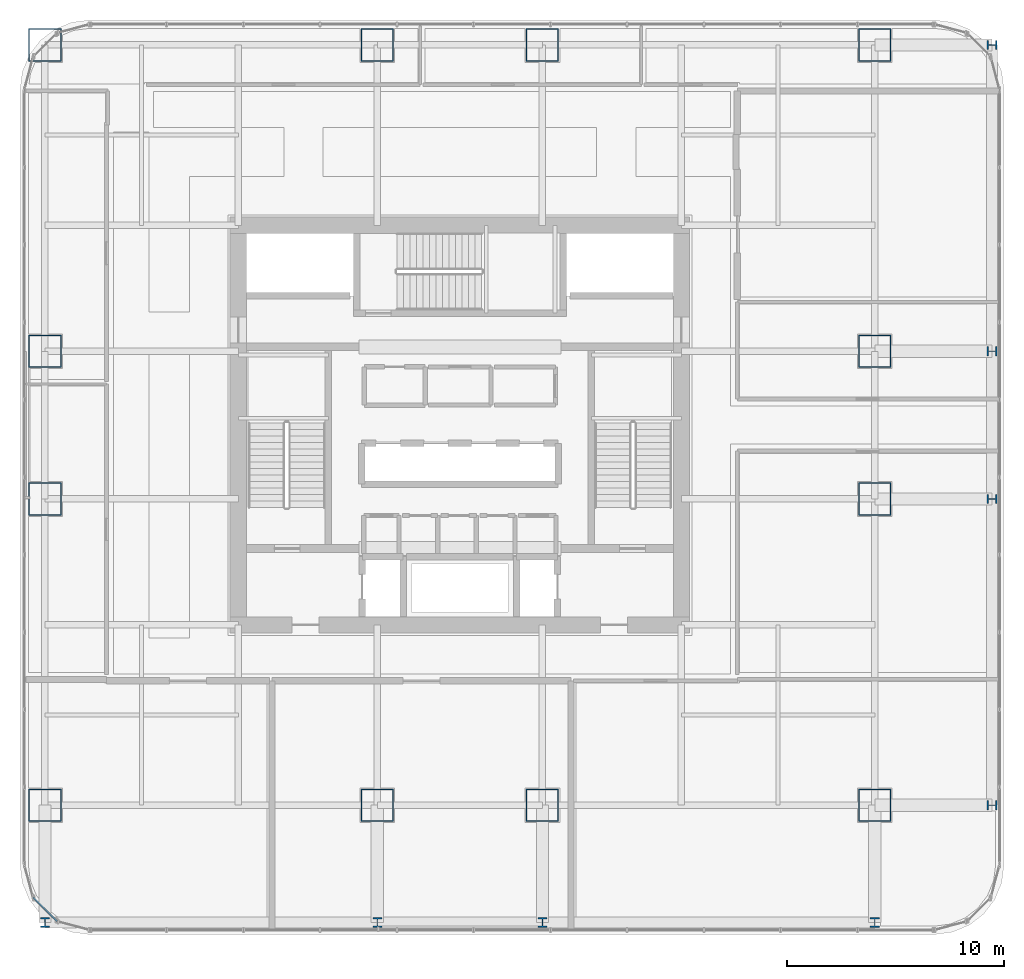
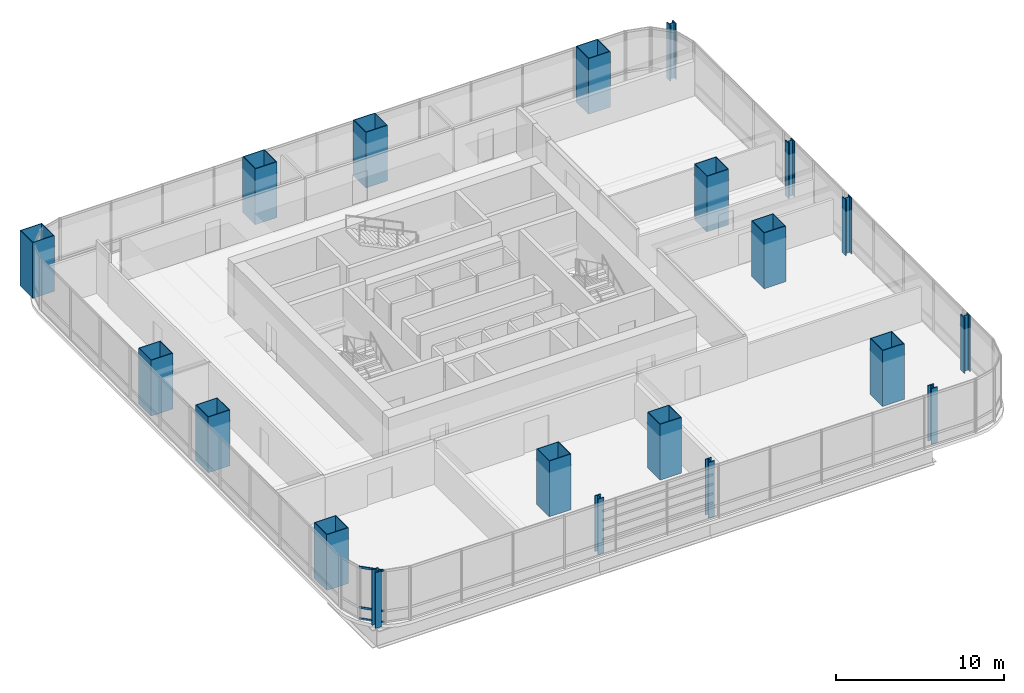
# One storey, part 1 of 34: 20 columns, 3 members, 1 element without a shape of its own.
"""IFC4 building model written with IfcOpenShell, lengths in metres."""

from ifc_helpers import new_model, si_unit, direction, frame, origin, origin_2d, place, context, subcontext, project, spatial, hollow_rectangle, i_section, extrude, material, material_profile, profile_set, type_object, element, aggregate, save


model = new_model("IFC4")

# Units and contexts
model_context = context("Model", 3, precision=1e-05, world=origin(), true_north=direction((0.0, 1.0)))
body_context = subcontext(model_context, "Body", "Model", "MODEL_VIEW")
ifc_project = project(units=[si_unit("LENGTHUNIT", "METRE"), si_unit("AREAUNIT", "SQUARE_METRE"), si_unit("VOLUMEUNIT", "CUBIC_METRE"), si_unit("PLANEANGLEUNIT", "RADIAN"), si_unit("MASSUNIT", "GRAM", prefix="KILO")], contexts=[model_context])

# Site, building, storey
site_placement = place(None, origin())
site = spatial("IfcSite", under=ifc_project, at=site_placement, CompositionType="ELEMENT")
building_placement = place(site_placement, origin())
building = spatial("IfcBuilding", under=site, at=building_placement, Name="Punatoya Terracotta Tower", CompositionType="ELEMENT")
storey_placement = place(building_placement, frame((0.0, 0.0, 80.85009765625)))
storey = spatial("IfcBuildingStorey", under=building, at=storey_placement, Name="L18", CompositionType="ELEMENT", Elevation=80.85009765625)

# Columns
ifc_material_1 = material(Name="Steel S460", Category="steel")
ifc_material_profile_1 = material_profile(ifc_material_1, i_section(OverallWidth=0.416015625, OverallDepth=0.446044921875, WebThickness=0.0390625, FlangeThickness=0.06201171875, FilletRadius=0.01806640625, at=origin_2d()))
ifc_profile_set_1 = profile_set([ifc_material_profile_1], Name="Steel S460")
column_type_1 = type_object("IfcColumnType", Name="COL-EX-M1", PredefinedType="COLUMN", material=ifc_profile_set_1)
for number, where, z_axis, x_axis, name in (
    (1, (-19.10009765625, -22.89990234375, 0.0), (0.0, 0.0, 1.0), (1.0, 0.0, 0.0), "L18 Exoskeleton Perimeter Column S1"),
    (2, (-3.800048828125, -22.89990234375, 0.0), (0.0, 0.0, 1.0), (1.0, 0.0, 0.0), "L18 Exoskeleton Perimeter Column S2"),
    (3, (3.800048828125, -22.89990234375, 0.0), (0.0, 0.0, 1.0), (1.0, 0.0, 0.0), "L18 Exoskeleton Perimeter Column S3"),
    (4, (19.10009765625, -22.89990234375, 0.0), (0.0, 0.0, 1.0), (1.0, 0.0, 0.0), "L18 Exoskeleton Perimeter Column S4"),
    (5, (24.5, -17.5, 0.0), (0.0, 0.0, 1.0), (0.0, 1.0, 0.0), "L18 Exoskeleton Perimeter Column E1"),
    (6, (24.5, -3.39990234375, 0.0), (0.0, 0.0, 1.0), (0.0, 1.0, 0.0), "L18 Exoskeleton Perimeter Column E2"),
    (7, (24.5, 3.39990234375, 0.0), (0.0, 0.0, 1.0), (0.0, 1.0, 0.0), "L18 Exoskeleton Perimeter Column E3"),
    (8, (24.5, 17.5, 0.0), (0.0, 0.0, 1.0), (0.0, 1.0, 0.0), "L18 Exoskeleton Perimeter Column E4"),
):
    element("IfcColumn", number, at=place(storey_placement, frame(where, z_axis=z_axis, x_axis=x_axis)), inside=storey, type_object=column_type_1, Name=name, PredefinedType="COLUMN", context=body_context, shape_type="SweptSolid", body=[
        extrude(i_section(OverallWidth=0.416015625, OverallDepth=0.446044921875, WebThickness=0.0390625, FlangeThickness=0.06201171875, FilletRadius=0.01806640625, at=origin_2d()), origin(), (0.0, 0.0, 1.0), 4.0478515625),
    ])
ifc_material_profile_2 = material_profile(ifc_material_1, hollow_rectangle(XDim=1.5, YDim=1.5, WallThickness=0.044921875, at=origin_2d()))
ifc_profile_set_2 = profile_set([ifc_material_profile_2], Name="Steel S460")
column_type_2 = type_object("IfcColumnType", Name="COL-MC-Z1", PredefinedType="COLUMN", material=ifc_profile_set_2)
for number, where, z_axis, x_axis, name in (
    (9, (-19.10009765625, -17.5, 0.0), (0.0, 0.0, 1.0), (1.0, 0.0, 0.0), "L18 Composite Mega-Column MC-01 (3-B)"),
    (10, (-3.800048828125, -17.5, 0.0), (0.0, 0.0, 1.0), (1.0, 0.0, 0.0), "L18 Composite Mega-Column MC-02 (5-B)"),
    (11, (3.800048828125, -17.5, 0.0), (0.0, 0.0, 1.0), (1.0, 0.0, 0.0), "L18 Composite Mega-Column MC-03 (7-B)"),
    (12, (19.10009765625, -17.5, 0.0), (0.0, 0.0, 1.0), (1.0, 0.0, 0.0), "L18 Composite Mega-Column MC-04 (9-B)"),
    (13, (19.10009765625, -3.39990234375, 0.0), (0.0, 0.0, 1.0), (1.0, 0.0, 0.0), "L18 Composite Mega-Column MC-05 (9-D)"),
    (14, (19.10009765625, 3.39990234375, 0.0), (0.0, 0.0, 1.0), (1.0, 0.0, 0.0), "L18 Composite Mega-Column MC-06 (9-E)"),
    (15, (19.10009765625, 17.5, 0.0), (0.0, 0.0, 1.0), (1.0, 0.0, 0.0), "L18 Composite Mega-Column MC-07 (9-G)"),
    (16, (3.800048828125, 17.5, 0.0), (0.0, 0.0, 1.0), (1.0, 0.0, 0.0), "L18 Composite Mega-Column MC-08 (7-G)"),
    (17, (-3.800048828125, 17.5, 0.0), (0.0, 0.0, 1.0), (1.0, 0.0, 0.0), "L18 Composite Mega-Column MC-09 (5-G)"),
    (18, (-19.10009765625, 17.5, 0.0), (0.0, 0.0, 1.0), (1.0, 0.0, 0.0), "L18 Composite Mega-Column MC-10 (3-G)"),
    (19, (-19.10009765625, 3.39990234375, 0.0), (0.0, 0.0, 1.0), (1.0, 0.0, 0.0), "L18 Composite Mega-Column MC-11 (3-E)"),
    (20, (-19.10009765625, -3.39990234375, 0.0), (0.0, 0.0, 1.0), (1.0, 0.0, 0.0), "L18 Composite Mega-Column MC-12 (3-D)"),
):
    element("IfcColumn", number, at=place(storey_placement, frame(where, z_axis=z_axis, x_axis=x_axis)), inside=storey, type_object=column_type_2, Name=name, PredefinedType="COLUMN", context=body_context, shape_type="SweptSolid", body=[
        extrude(hollow_rectangle(XDim=1.5, YDim=1.5, WallThickness=0.044921875, at=origin_2d()), origin(), (0.0, 0.0, 1.0), 4.0498046875),
    ])

# Curtain wall, members
ifc_material_2 = material(Name="Aluminium 6063-T6 + Double Low-E Glass", Category="aluminium")
curtain_wall_type = type_object("IfcCurtainWallType", Name="CW-M1", PredefinedType="NOTDEFINED", material=ifc_material_2)
curtain_wall_placement = place(storey_placement, origin())
curtain_wall = element("IfcCurtainWall", 21, at=curtain_wall_placement, inside=storey, type_object=curtain_wall_type, Name="L18 Curtain Wall CW-L18-CRN15", PredefinedType="NOTDEFINED")
ifc_material_3 = material(Name="Aluminium 6063-T6", Category="aluminium")
ifc_material_profile_3 = material_profile(ifc_material_3, hollow_rectangle(XDim=0.068115234375, YDim=0.14990234375, WallThickness=0.00390625, at=origin_2d()))
ifc_profile_set_3 = profile_set([ifc_material_profile_3], Name="Aluminium 6063-T6")
member_type = type_object("IfcMemberType", Name="CW-TRN-TYP", PredefinedType="USERDEFINED", material=ifc_profile_set_3)
member_1_placement = place(storey_placement, frame((-19.646484375, -21.7490234375, 0.039794921875), z_axis=(0.707028130747, -0.707185422879, 0.0), x_axis=(0.707185422879, 0.707028130747, 0.0)))
member_1 = element("IfcMember", 22, at=member_1_placement, type_object=member_type, Name="CW-L18-CRN15 Transom 1", ObjectType="TRANSOM", PredefinedType="USERDEFINED", context=body_context, shape_type="SweptSolid", body=[
    extrude(hollow_rectangle(XDim=0.068115234375, YDim=0.14990234375, WallThickness=0.00390625, at=origin_2d()), origin(), (0.0, 0.0, 1.0), 1.55224609375),
])
member_2_placement = place(storey_placement, frame((-19.646484375, -21.7490234375, 0.849853515625), z_axis=(0.707028130747, -0.707185422879, 0.0), x_axis=(0.707185422879, 0.707028130747, 0.0)))
member_2 = element("IfcMember", 23, at=member_2_placement, type_object=member_type, Name="CW-L18-CRN15 Transom 2", ObjectType="TRANSOM", PredefinedType="USERDEFINED", context=body_context, shape_type="SweptSolid", body=[
    extrude(hollow_rectangle(XDim=0.068115234375, YDim=0.14990234375, WallThickness=0.00390625, at=origin_2d()), origin(), (0.0, 0.0, 1.0), 1.55224609375),
])
member_3_placement = place(storey_placement, frame((-19.646484375, -21.7490234375, 3.77001953125), z_axis=(0.707028130747, -0.707185422879, 0.0), x_axis=(0.707185422879, 0.707028130747, 0.0)))
member_3 = element("IfcMember", 24, at=member_3_placement, type_object=member_type, Name="CW-L18-CRN15 Transom 3", ObjectType="TRANSOM", PredefinedType="USERDEFINED", context=body_context, shape_type="SweptSolid", body=[
    extrude(hollow_rectangle(XDim=0.068115234375, YDim=0.14990234375, WallThickness=0.00390625, at=origin_2d()), origin(), (0.0, 0.0, 1.0), 1.55224609375),
])
aggregate(curtain_wall, [member_1, member_2, member_3])

save(model, "model.ifc")
